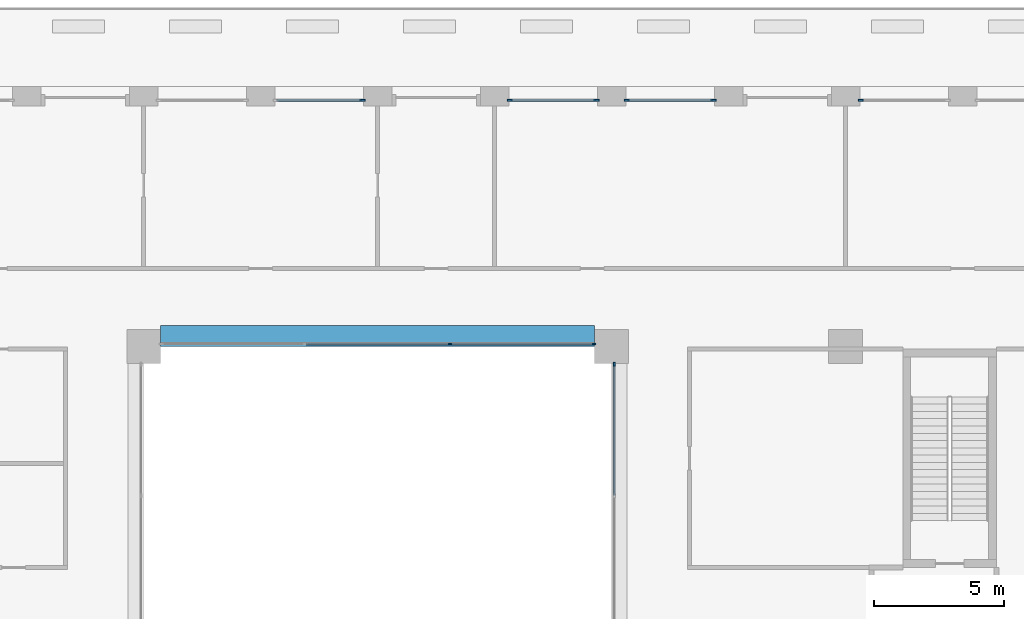
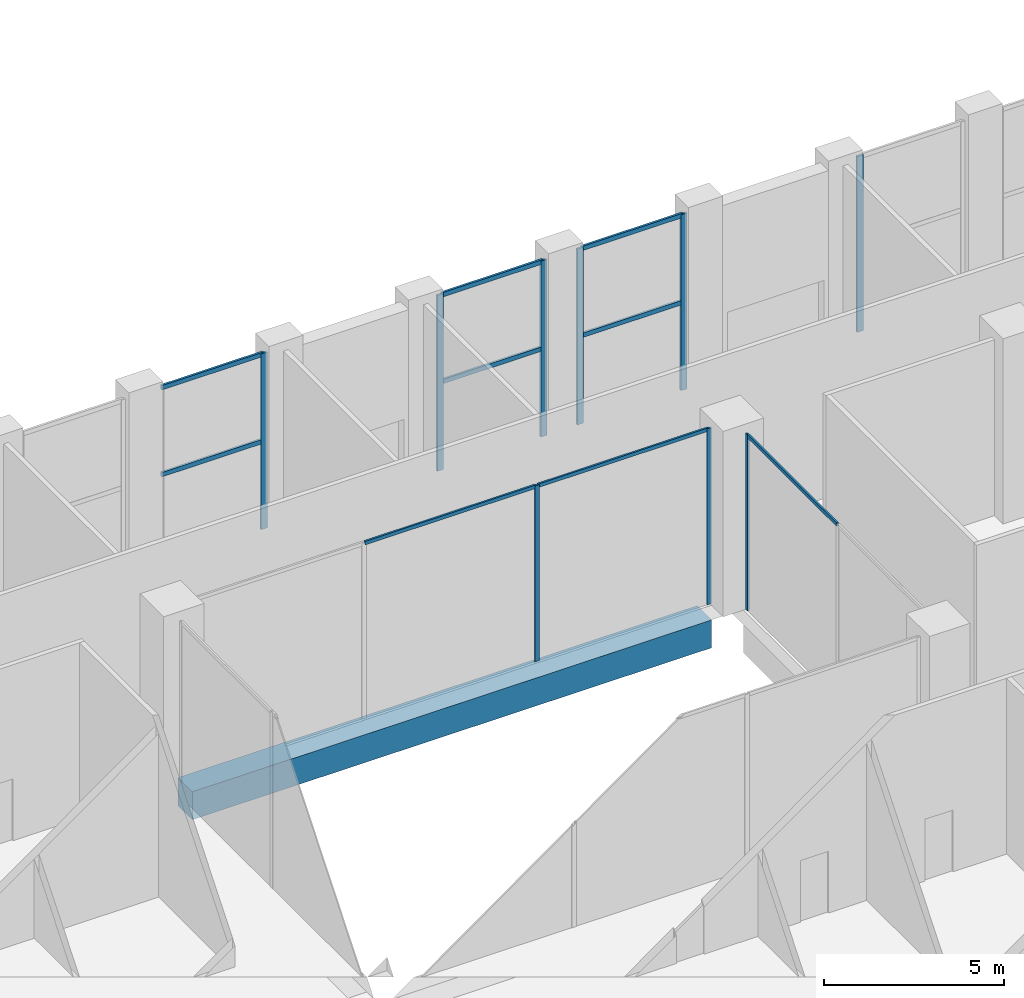
# One storey, part 7 of 21: 18 members, 1 beam, 6 elements without a shape of their own.
"""IFC4 building model written with IfcOpenShell, lengths in metres."""

from ifc_helpers import new_model, si_unit, direction, frame, origin, origin_2d, place, context, subcontext, project, spatial, rectangle, extrude, material, layer, layer_set, material_profile, profile_set, type_object, element, aggregate, save


model = new_model("IFC4")

# Units and contexts
model_context = context("Model", 3, precision=1e-05, world=origin(), true_north=direction((0.0, 1.0)))
body_context = subcontext(model_context, "Body", "Model", "MODEL_VIEW")
ifc_project = project(units=[si_unit("LENGTHUNIT", "METRE"), si_unit("AREAUNIT", "SQUARE_METRE"), si_unit("VOLUMEUNIT", "CUBIC_METRE"), si_unit("PLANEANGLEUNIT", "RADIAN"), si_unit("MASSUNIT", "GRAM", prefix="KILO")], contexts=[model_context])

# Site, building, storey
site_placement = place(None, origin())
site = spatial("IfcSite", under=ifc_project, at=site_placement, CompositionType="ELEMENT")
building_placement = place(site_placement, origin())
building = spatial("IfcBuilding", under=site, at=building_placement, Name="Brigalow Station Residences", CompositionType="ELEMENT")
storey_placement = place(building_placement, frame((0.0, 0.0, 77.25)))
storey = spatial("IfcBuildingStorey", under=building, at=storey_placement, Name="L22", CompositionType="ELEMENT", Elevation=77.25)

# Beam
ifc_material_1 = material(Name="Concrete C65", Category="concrete")
ifc_material_profile_1 = material_profile(ifc_material_1, rectangle(XDim=0.800048828125, YDim=0.949951171875, at=origin_2d()), Name="RC800x950")
ifc_profile_set_1 = profile_set([ifc_material_profile_1], Name="Concrete C65")
beam_type = type_object("IfcBeamType", Name="ATRIUM EDGE GIRDER OVER 13.5 M SPAN 800x950 C65", PredefinedType="BEAM", material=ifc_profile_set_1)
beam_placement = place(storey_placement, frame((27.64990234375, 35.89990234375, -0.97509765625), z_axis=(1.0, 0.0, 0.0), x_axis=(0.0, 1.0, 0.0)))
element("IfcBeam", 1, at=beam_placement, inside=storey, type_object=beam_type, Name="ATRIUM EDGE GIRDER D L22", PredefinedType="BEAM", context=body_context, shape_type="SweptSolid", body=[
    extrude(rectangle(XDim=0.800048828125, YDim=0.949951171875, at=origin_2d()), origin(), (0.0, 0.0, 1.0), 16.7001953125),
])

# Curtain wall, member
ifc_material_2 = material(Name="Aluminium", Category="aluminium")
ifc_layer_1 = layer(ifc_material_2, 0.14990234375)
ifc_layer_set_1 = layer_set([ifc_layer_1], Name="ATRIUM FIRE-RATED GLAZING CURTAIN WALL")
curtain_wall_type_1 = type_object("IfcCurtainWallType", Name="ATRIUM FIRE-RATED GLAZING CURTAIN WALL", PredefinedType="NOTDEFINED", material=ifc_layer_set_1)
curtain_wall_1_placement = place(storey_placement, origin())
curtain_wall_1 = element("IfcCurtainWall", 2, at=curtain_wall_1_placement, inside=storey, type_object=curtain_wall_type_1, Name="L22/cw/atrium-E", PredefinedType="NOTDEFINED")
ifc_material_3 = material(Name="Aluminium", Category="aluminium")
ifc_material_profile_2 = material_profile(ifc_material_3, rectangle(XDim=0.06005859375, YDim=0.14990234375, at=origin_2d()), Name="ATRIUM FIRE-RATED GLAZING MULLION 60x150")
ifc_profile_set_2 = profile_set([ifc_material_profile_2], Name="Aluminium")
member_type_1 = type_object("IfcMemberType", Name="ATRIUM FIRE-RATED GLAZING MULLION 60x150", PredefinedType="MULLION", material=ifc_profile_set_2)
member_1_placement = place(storey_placement, frame((45.10009765625, 34.820068359375, 0.0), z_axis=(0.0, 0.0, 1.0), x_axis=(-1.0, 0.0, 0.0)))
member_1 = element("IfcMember", 3, at=member_1_placement, type_object=member_type_1, Name="L22/cw/atrium-E/M02", PredefinedType="MULLION", context=body_context, shape_type="SweptSolid", body=[
    extrude(rectangle(XDim=0.06005859375, YDim=0.14990234375, at=origin_2d()), origin(), (0.0, 0.0, 1.0), 5.97998046875),
])

# Curtain wall, members
curtain_wall_2_placement = place(storey_placement, origin())
curtain_wall_2 = element("IfcCurtainWall", 4, at=curtain_wall_2_placement, inside=storey, type_object=curtain_wall_type_1, Name="L22/cw/atrium-N", PredefinedType="NOTDEFINED")
member_2_placement = place(storey_placement, frame((44.320068359375, 35.60009765625, 0.0), z_axis=(0.0, 0.0, 1.0), x_axis=(0.0, -1.0, 0.0)))
member_2 = element("IfcMember", 5, at=member_2_placement, type_object=member_type_1, Name="L22/cw/atrium-N/M00", PredefinedType="MULLION", context=body_context, shape_type="SweptSolid", body=[
    extrude(rectangle(XDim=0.06005859375, YDim=0.14990234375, at=origin_2d()), origin(), (0.0, 0.0, 1.0), 5.97998046875),
])
member_3_placement = place(storey_placement, frame((38.783203125, 35.60009765625, 0.0), z_axis=(0.0, 0.0, 1.0), x_axis=(0.0, -1.0, 0.0)))
member_3 = element("IfcMember", 6, at=member_3_placement, type_object=member_type_1, Name="L22/cw/atrium-N/M01", PredefinedType="MULLION", context=body_context, shape_type="SweptSolid", body=[
    extrude(rectangle(XDim=0.06005859375, YDim=0.14990234375, at=origin_2d()), origin(), (0.0, 0.0, 1.0), 5.97998046875),
])

# Member
ifc_material_4 = material(Name="Aluminium", Category="aluminium")
ifc_material_profile_3 = material_profile(ifc_material_4, rectangle(XDim=0.06005859375, YDim=0.1201171875, at=origin_2d()), Name="ATRIUM FIRE-RATED GLAZING TRANSOM 60x120")
ifc_profile_set_3 = profile_set([ifc_material_profile_3], Name="Aluminium")
member_type_2 = type_object("IfcMemberType", Name="ATRIUM FIRE-RATED GLAZING TRANSOM 60x120", PredefinedType="USERDEFINED", material=ifc_profile_set_3)
member_4_placement = place(storey_placement, frame((45.10009765625, 29.780029296875, 5.949951171875), z_axis=(0.0, 1.0, 0.0), x_axis=(-1.0, 0.0, 0.0)))
member_4 = element("IfcMember", 7, at=member_4_placement, type_object=member_type_2, Name="L22/cw/atrium-E/T01-00", ObjectType="TRANSOM", PredefinedType="USERDEFINED", context=body_context, shape_type="SweptSolid", body=[
    extrude(rectangle(XDim=0.06005859375, YDim=0.1201171875, at=origin_2d()), origin(), (0.0, 0.0, 1.0), 5.010009765625),
])

aggregate(curtain_wall_1, [member_1, member_4])

member_5_placement = place(storey_placement, frame((44.2900390625, 35.60009765625, 5.949951171875), z_axis=(-1.0, 0.0, 0.0), x_axis=(0.0, -1.0, 0.0)))
member_5 = element("IfcMember", 8, at=member_5_placement, type_object=member_type_2, Name="L22/cw/atrium-N/T00-00", ObjectType="TRANSOM", PredefinedType="USERDEFINED", context=body_context, shape_type="SweptSolid", body=[
    extrude(rectangle(XDim=0.06005859375, YDim=0.1201171875, at=origin_2d()), origin(), (0.0, 0.0, 1.0), 5.476806640625),
])

member_6_placement = place(storey_placement, frame((38.75341796875, 35.60009765625, 5.949951171875), z_axis=(-1.0, 0.0, 0.0), x_axis=(0.0, -1.0, 0.0)))
member_6 = element("IfcMember", 9, at=member_6_placement, type_object=member_type_2, Name="L22/cw/atrium-N/T01-00", ObjectType="TRANSOM", PredefinedType="USERDEFINED", context=body_context, shape_type="SweptSolid", body=[
    extrude(rectangle(XDim=0.06005859375, YDim=0.1201171875, at=origin_2d()), origin(), (0.0, 0.0, 1.0), 5.5068359375),
])

aggregate(curtain_wall_2, [member_2, member_3, member_5, member_6])

# Curtain wall, member
ifc_material_5 = material(Name="Aluminium", Category="aluminium")
ifc_layer_2 = layer(ifc_material_5, 0.199951171875)
ifc_layer_set_2 = layer_set([ifc_layer_2], Name="SKY FLOOR GLAZING CURTAIN WALL")
curtain_wall_type_2 = type_object("IfcCurtainWallType", Name="SKY FLOOR GLAZING CURTAIN WALL", PredefinedType="NOTDEFINED", material=ifc_layer_set_2)
curtain_wall_3_placement = place(storey_placement, origin())
curtain_wall_3 = element("IfcCurtainWall", 10, at=curtain_wall_3_placement, inside=storey, type_object=curtain_wall_type_2, Name="L22/cw/W-L22-26", PredefinedType="NOTDEFINED")
ifc_material_6 = material(Name="Aluminium", Category="aluminium")
ifc_material_profile_4 = material_profile(ifc_material_6, rectangle(XDim=0.070068359375, YDim=0.199951171875, at=origin_2d()), Name="SKY FLOOR GLAZING MULLION 70x200")
ifc_profile_set_4 = profile_set([ifc_material_profile_4], Name="Aluminium")
member_type_3 = type_object("IfcMemberType", Name="SKY FLOOR GLAZING MULLION 70x200", PredefinedType="MULLION", material=ifc_profile_set_4)
member_7_placement = place(storey_placement, frame((54.5849609375, 44.97509765625, 0.0), z_axis=(0.0, 0.0, 1.0), x_axis=(0.0, -1.0, 0.0)))
member_7 = element("IfcMember", 11, at=member_7_placement, type_object=member_type_3, Name="L22/cw/W-L22-26/M01", PredefinedType="MULLION", context=body_context, shape_type="SweptSolid", body=[
    extrude(rectangle(XDim=0.070068359375, YDim=0.199951171875, at=origin_2d()), origin(), (0.0, 0.0, 1.0), 5.97998046875),
])
aggregate(curtain_wall_3, [member_7])

# Curtain wall, members
curtain_wall_4_placement = place(storey_placement, origin())
curtain_wall_4 = element("IfcCurtainWall", 12, at=curtain_wall_4_placement, inside=storey, type_object=curtain_wall_type_2, Name="L22/cw/W-L22-28", PredefinedType="NOTDEFINED")
member_8_placement = place(storey_placement, frame((48.9150390625, 44.97509765625, 0.0), z_axis=(0.0, 0.0, 1.0), x_axis=(0.0, -1.0, 0.0)))
member_8 = element("IfcMember", 13, at=member_8_placement, type_object=member_type_3, Name="L22/cw/W-L22-28/M00", PredefinedType="MULLION", context=body_context, shape_type="SweptSolid", body=[
    extrude(rectangle(XDim=0.070068359375, YDim=0.199951171875, at=origin_2d()), origin(), (0.0, 0.0, 1.0), 5.97998046875),
])
member_9_placement = place(storey_placement, frame((45.5849609375, 44.97509765625, 0.0), z_axis=(0.0, 0.0, 1.0), x_axis=(0.0, -1.0, 0.0)))
member_9 = element("IfcMember", 14, at=member_9_placement, type_object=member_type_3, Name="L22/cw/W-L22-28/M01", PredefinedType="MULLION", context=body_context, shape_type="SweptSolid", body=[
    extrude(rectangle(XDim=0.070068359375, YDim=0.199951171875, at=origin_2d()), origin(), (0.0, 0.0, 1.0), 5.97998046875),
])

curtain_wall_5_placement = place(storey_placement, origin())
curtain_wall_5 = element("IfcCurtainWall", 15, at=curtain_wall_5_placement, inside=storey, type_object=curtain_wall_type_2, Name="L22/cw/W-L22-29", PredefinedType="NOTDEFINED")
member_10_placement = place(storey_placement, frame((44.4150390625, 44.97509765625, 0.0), z_axis=(0.0, 0.0, 1.0), x_axis=(0.0, -1.0, 0.0)))
member_10 = element("IfcMember", 16, at=member_10_placement, type_object=member_type_3, Name="L22/cw/W-L22-29/M00", PredefinedType="MULLION", context=body_context, shape_type="SweptSolid", body=[
    extrude(rectangle(XDim=0.070068359375, YDim=0.199951171875, at=origin_2d()), origin(), (0.0, 0.0, 1.0), 5.97998046875),
])
member_11_placement = place(storey_placement, frame((41.0849609375, 44.97509765625, 0.0), z_axis=(0.0, 0.0, 1.0), x_axis=(0.0, -1.0, 0.0)))
member_11 = element("IfcMember", 17, at=member_11_placement, type_object=member_type_3, Name="L22/cw/W-L22-29/M01", PredefinedType="MULLION", context=body_context, shape_type="SweptSolid", body=[
    extrude(rectangle(XDim=0.070068359375, YDim=0.199951171875, at=origin_2d()), origin(), (0.0, 0.0, 1.0), 5.97998046875),
])

# Curtain wall, member
curtain_wall_6_placement = place(storey_placement, origin())
curtain_wall_6 = element("IfcCurtainWall", 18, at=curtain_wall_6_placement, inside=storey, type_object=curtain_wall_type_2, Name="L22/cw/W-L22-31", PredefinedType="NOTDEFINED")
member_12_placement = place(storey_placement, frame((35.4150390625, 44.97509765625, 0.0), z_axis=(0.0, 0.0, 1.0), x_axis=(0.0, -1.0, 0.0)))
member_12 = element("IfcMember", 19, at=member_12_placement, type_object=member_type_3, Name="L22/cw/W-L22-31/M00", PredefinedType="MULLION", context=body_context, shape_type="SweptSolid", body=[
    extrude(rectangle(XDim=0.070068359375, YDim=0.199951171875, at=origin_2d()), origin(), (0.0, 0.0, 1.0), 5.97998046875),
])

# Member
ifc_material_7 = material(Name="Aluminium", Category="aluminium")
ifc_material_profile_5 = material_profile(ifc_material_7, rectangle(XDim=0.070068359375, YDim=0.14990234375, at=origin_2d()), Name="SKY FLOOR GLAZING TRANSOM 70x150")
ifc_profile_set_5 = profile_set([ifc_material_profile_5], Name="Aluminium")
member_type_4 = type_object("IfcMemberType", Name="SKY FLOOR GLAZING TRANSOM 70x150", PredefinedType="USERDEFINED", material=ifc_profile_set_5)
member_13_placement = place(storey_placement, frame((48.8798828125, 44.97509765625, 2.989990234375), z_axis=(-1.0, 0.0, 0.0), x_axis=(0.0, -1.0, 0.0)))
member_13 = element("IfcMember", 20, at=member_13_placement, type_object=member_type_4, Name="L22/cw/W-L22-28/T00-00", ObjectType="TRANSOM", PredefinedType="USERDEFINED", context=body_context, shape_type="SweptSolid", body=[
    extrude(rectangle(XDim=0.070068359375, YDim=0.14990234375, at=origin_2d()), origin(), (0.0, 0.0, 1.0), 3.259765625),
])

member_14_placement = place(storey_placement, frame((48.8798828125, 44.97509765625, 5.945068359375), z_axis=(-1.0, 0.0, 0.0), x_axis=(0.0, -1.0, 0.0)))
member_14 = element("IfcMember", 21, at=member_14_placement, type_object=member_type_4, Name="L22/cw/W-L22-28/T00-01", ObjectType="TRANSOM", PredefinedType="USERDEFINED", context=body_context, shape_type="SweptSolid", body=[
    extrude(rectangle(XDim=0.070068359375, YDim=0.14990234375, at=origin_2d()), origin(), (0.0, 0.0, 1.0), 3.259765625),
])

aggregate(curtain_wall_4, [member_8, member_9, member_13, member_14])

member_15_placement = place(storey_placement, frame((44.3798828125, 44.97509765625, 2.989990234375), z_axis=(-1.0, 0.0, 0.0), x_axis=(0.0, -1.0, 0.0)))
member_15 = element("IfcMember", 22, at=member_15_placement, type_object=member_type_4, Name="L22/cw/W-L22-29/T00-00", ObjectType="TRANSOM", PredefinedType="USERDEFINED", context=body_context, shape_type="SweptSolid", body=[
    extrude(rectangle(XDim=0.070068359375, YDim=0.14990234375, at=origin_2d()), origin(), (0.0, 0.0, 1.0), 3.259765625),
])

member_16_placement = place(storey_placement, frame((44.3798828125, 44.97509765625, 5.945068359375), z_axis=(-1.0, 0.0, 0.0), x_axis=(0.0, -1.0, 0.0)))
member_16 = element("IfcMember", 23, at=member_16_placement, type_object=member_type_4, Name="L22/cw/W-L22-29/T00-01", ObjectType="TRANSOM", PredefinedType="USERDEFINED", context=body_context, shape_type="SweptSolid", body=[
    extrude(rectangle(XDim=0.070068359375, YDim=0.14990234375, at=origin_2d()), origin(), (0.0, 0.0, 1.0), 3.259765625),
])

aggregate(curtain_wall_5, [member_10, member_11, member_15, member_16])

member_17_placement = place(storey_placement, frame((35.3798828125, 44.97509765625, 2.989990234375), z_axis=(-1.0, 0.0, 0.0), x_axis=(0.0, -1.0, 0.0)))
member_17 = element("IfcMember", 24, at=member_17_placement, type_object=member_type_4, Name="L22/cw/W-L22-31/T00-00", ObjectType="TRANSOM", PredefinedType="USERDEFINED", context=body_context, shape_type="SweptSolid", body=[
    extrude(rectangle(XDim=0.070068359375, YDim=0.14990234375, at=origin_2d()), origin(), (0.0, 0.0, 1.0), 3.259765625),
])

member_18_placement = place(storey_placement, frame((35.3798828125, 44.97509765625, 5.945068359375), z_axis=(-1.0, 0.0, 0.0), x_axis=(0.0, -1.0, 0.0)))
member_18 = element("IfcMember", 25, at=member_18_placement, type_object=member_type_4, Name="L22/cw/W-L22-31/T00-01", ObjectType="TRANSOM", PredefinedType="USERDEFINED", context=body_context, shape_type="SweptSolid", body=[
    extrude(rectangle(XDim=0.070068359375, YDim=0.14990234375, at=origin_2d()), origin(), (0.0, 0.0, 1.0), 3.259765625),
])

aggregate(curtain_wall_6, [member_12, member_17, member_18])

save(model, "model.ifc")
